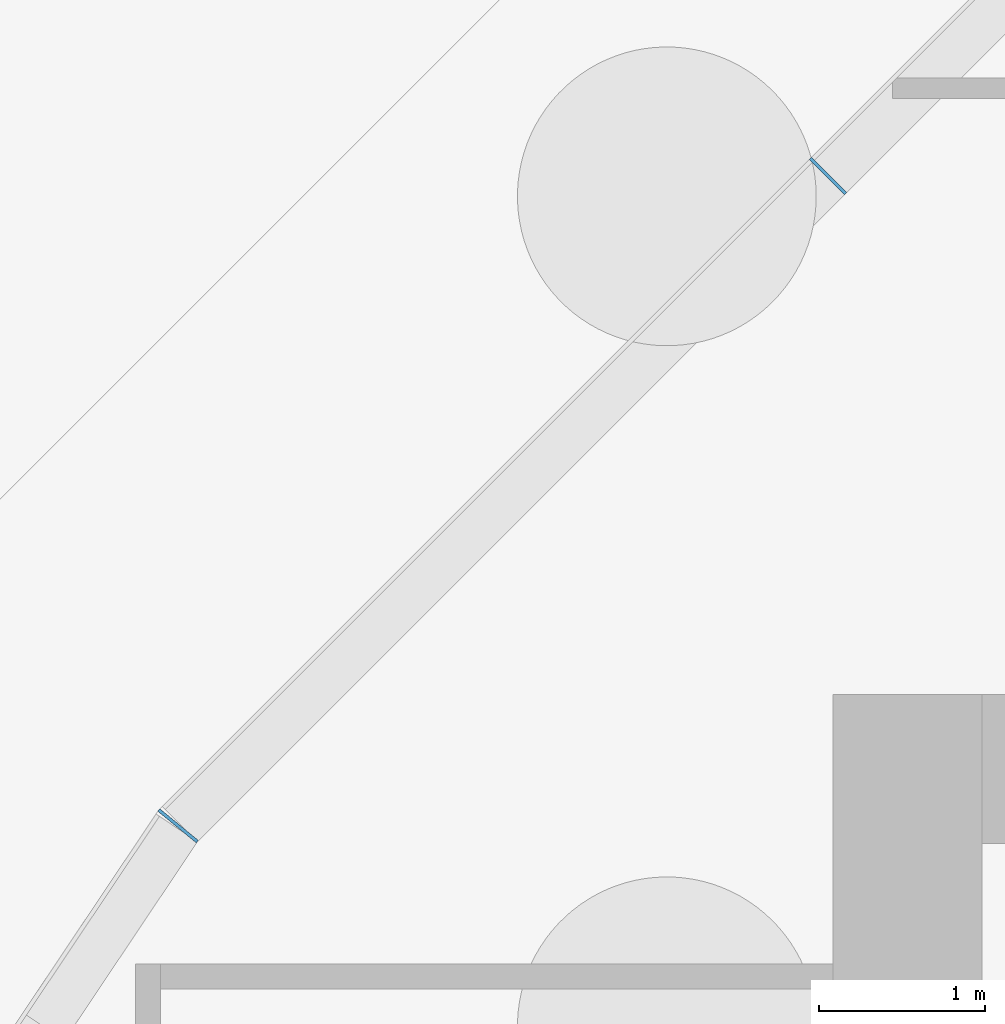
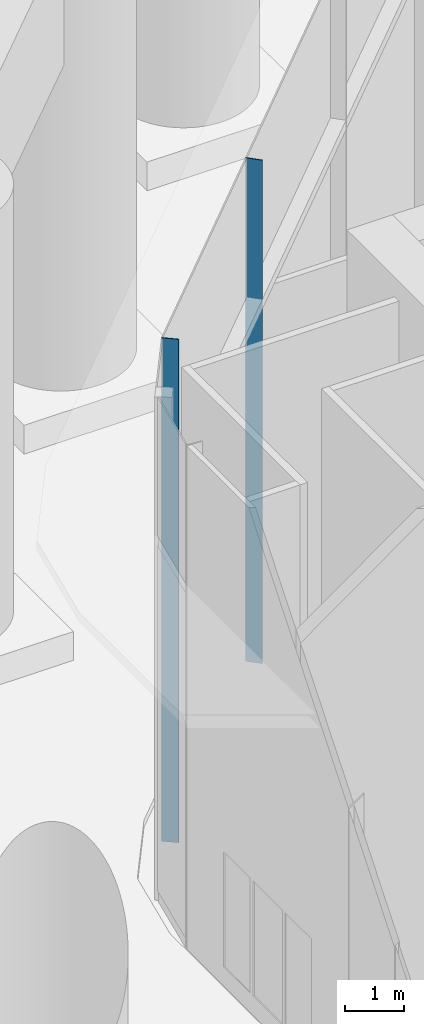
# One storey, part 10 of 31: 2 members, 1 element without a shape of its own.
"""IFC4 building model written with IfcOpenShell, lengths in metres."""

from ifc_helpers import new_model, si_unit, direction, frame, origin, origin_2d, place, context, subcontext, project, spatial, rectangle, extrude, material, material_profile, profile_set, type_object, element, aggregate, save


model = new_model("IFC4")

# Units and contexts
model_context = context("Model", 3, precision=1e-05, world=origin(), true_north=direction((0.0, 1.0)))
body_context = subcontext(model_context, "Body", "Model", "MODEL_VIEW")
ifc_project = project(units=[si_unit("LENGTHUNIT", "METRE"), si_unit("AREAUNIT", "SQUARE_METRE"), si_unit("VOLUMEUNIT", "CUBIC_METRE"), si_unit("PLANEANGLEUNIT", "RADIAN"), si_unit("MASSUNIT", "GRAM", prefix="KILO")], contexts=[model_context])

# Site, building, storey
site_placement = place(None, origin())
site = spatial("IfcSite", under=ifc_project, at=site_placement, CompositionType="ELEMENT")
building_placement = place(site_placement, origin())
building = spatial("IfcBuilding", under=site, at=building_placement, Name="Orlundy Tower", CompositionType="ELEMENT")
storey_placement = place(building_placement, origin())
storey = spatial("IfcBuildingStorey", under=building, at=storey_placement, Name="L00", CompositionType="ELEMENT", Elevation=0.0)

# Curtain wall, members
ifc_material_1 = material(Name="Aluminium bronze anodised", Category="aluminium")
curtain_wall_type = type_object("IfcCurtainWallType", Name="CW3 wall", PredefinedType="NOTDEFINED", material=ifc_material_1)
curtain_wall_placement = place(storey_placement, origin())
curtain_wall = element("IfcCurtainWall", 1, at=curtain_wall_placement, inside=storey, type_object=curtain_wall_type, Name="CW3 run 08", PredefinedType="NOTDEFINED")
ifc_material_2 = material(Name="Toughened glass", Category="glass")
ifc_material_profile = material_profile(ifc_material_2, rectangle(XDim=0.300048828125, YDim=0.01904296875, at=origin_2d()), Name="CW3 glass fin 19x300")
ifc_profile_set = profile_set([ifc_material_profile], Name="Toughened glass")
member_type = type_object("IfcMemberType", Name="CW3 glass fin 19x300", PredefinedType="MULLION", material=ifc_profile_set)
member_1_placement = place(storey_placement, frame((-22.944580078125, 11.207763671875, -0.39990234375), z_axis=(0.0, 0.0, 1.0), x_axis=(-0.772778491315, 0.63467582541, 0.0)))
member_1 = element("IfcMember", 2, at=member_1_placement, type_object=member_type, Name="CW3 mullion 13", PredefinedType="MULLION", context=body_context, shape_type="SweptSolid", body=[
    extrude(rectangle(XDim=0.300048828125, YDim=0.01904296875, at=origin_2d()), origin(), (0.0, 0.0, 1.0), 10.5),
])
member_2_placement = place(storey_placement, frame((-19.02880859375, 15.123291015625, -0.39990234375), z_axis=(0.0, 0.0, 1.0), x_axis=(-0.707106781187, 0.707106781187, 0.0)))
member_2 = element("IfcMember", 3, at=member_2_placement, type_object=member_type, Name="CW3 mullion 14", PredefinedType="MULLION", context=body_context, shape_type="SweptSolid", body=[
    extrude(rectangle(XDim=0.300048828125, YDim=0.01904296875, at=origin_2d()), origin(), (0.0, 0.0, 1.0), 10.5),
])
aggregate(curtain_wall, [member_1, member_2])

save(model, "model.ifc")
